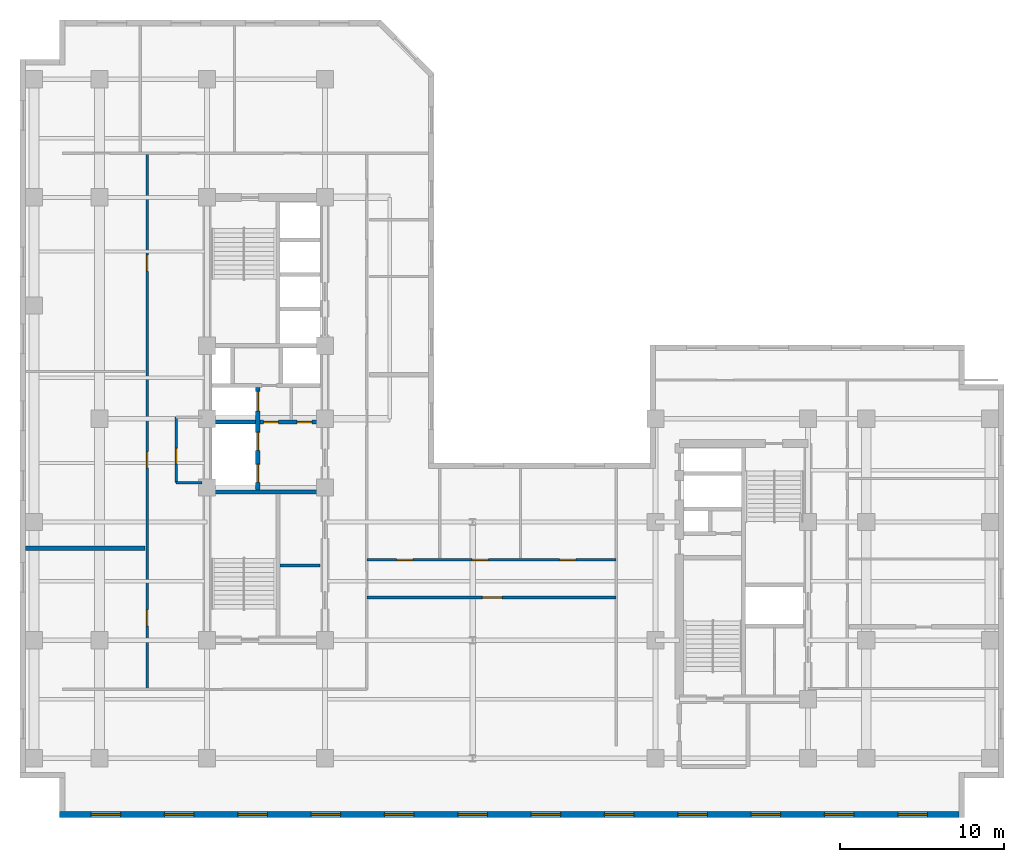
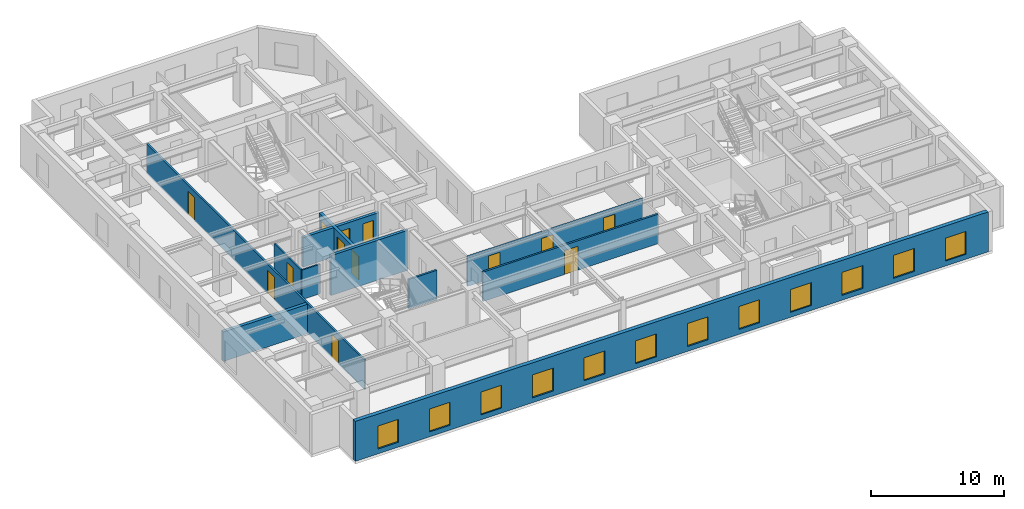
# One storey, part 3 of 10: 13 doors, 12 windows, 11 walls, 25 openings.
"""IFC4 building model written with IfcOpenShell, lengths in metres."""

from ifc_helpers import new_model, entity, si_unit, converted_unit, direction, frame, origin_with_axes, origin_2d_with_axis, place, context, subcontext, project, spatial, polyline, rectangle, outline, extrude, material, layer, layer_set, type_object, element, fill, save


model = new_model("IFC4")

# Units and contexts
model_context = context("Model", 3, precision=1e-05, world=origin_with_axes(), true_north=direction((0.0, 1.0)))
body_context = subcontext(model_context, "Body", "Model", "MODEL_VIEW")
ifc_project = project(units=[si_unit("LENGTHUNIT", "METRE"), si_unit("AREAUNIT", "SQUARE_METRE"), si_unit("VOLUMEUNIT", "CUBIC_METRE"), converted_unit("PLANEANGLEUNIT", "DEGREE", entity("IfcPlaneAngleMeasure", 0.017453292519943295), si_unit("PLANEANGLEUNIT", "RADIAN"), dimensions=[0, 0, 0, 0, 0, 0, 0]), si_unit("MASSUNIT", "GRAM", prefix="KILO"), si_unit("THERMODYNAMICTEMPERATUREUNIT", "KELVIN")], contexts=[model_context])

# Site, building, storey
site_placement = place(None, origin_with_axes())
site = spatial("IfcSite", under=ifc_project, at=site_placement, CompositionType="ELEMENT")
building_placement = place(site_placement, origin_with_axes())
building = spatial("IfcBuilding", under=site, at=building_placement, Name="Varnlund Millrace Tower", CompositionType="ELEMENT")
storey_placement = place(building_placement, frame((0.0, 0.0, 175.8), z_axis=(0.0, 0.0, 1.0), x_axis=(1.0, 0.0, 0.0)))
storey = spatial("IfcBuildingStorey", under=building, at=storey_placement, Name="L43", CompositionType="ELEMENT", Elevation=175.8)

# Wall, openings, windows
ifc_material_1 = material(Name="Precast concrete C50/60", Category="concrete")
ifc_layer_1 = layer(ifc_material_1, 0.34, Name="Precast concrete C50/60")
ifc_layer_set_1 = layer_set([ifc_layer_1], Name="Precast concrete C50/60")
wall_type_1 = type_object("IfcWallType", Name="Type-ExtWall-Precast-Upper-340", PredefinedType="SOLIDWALL", material=ifc_layer_set_1)
wall_1_placement = place(storey_placement, frame((57.26, 0.17, 0.0), z_axis=(0.0, 0.0, 1.0), x_axis=(-1.0, 0.0, 0.0)))
wall_1 = element("IfcWall", 1, at=wall_1_placement, inside=storey, type_object=wall_type_1, Name="Type-ExtWall-Precast-Upper-340", PredefinedType="SOLIDWALL", context=body_context, shape_type="SweptSolid", body=[
    extrude(outline(polyline([(0.0, -0.17), (54.86, -0.17), (54.86, 0.17), (0.0, 0.17), (0.0, -0.17)])), origin_with_axes(), (0.0, 0.0, 1.0), 3.66),
])
opening_1_placement = place(wall_1_placement, frame((2.836, 0.0, 0.45), z_axis=(0.0, 0.0, 1.0), x_axis=(1.0, 0.0, 0.0)))
opening_1 = element("IfcOpeningElement", 2, at=opening_1_placement, cuts=wall_1, Name="Opening L43:WN-08", PredefinedType="OPENING", context=body_context, shape_type="SweptSolid", body=[
    extrude(rectangle(XDim=1.8, YDim=0.36, at=origin_2d_with_axis()), origin_with_axes(), (0.0, 0.0, 1.0), 2.1),
])
opening_2_placement = place(wall_1_placement, frame((7.307, 0.0, 0.45), z_axis=(0.0, 0.0, 1.0), x_axis=(1.0, 0.0, 0.0)))
opening_2 = element("IfcOpeningElement", 3, at=opening_2_placement, cuts=wall_1, Name="Opening L43:WN-09", PredefinedType="OPENING", context=body_context, shape_type="SweptSolid", body=[
    extrude(rectangle(XDim=1.8, YDim=0.36, at=origin_2d_with_axis()), origin_with_axes(), (0.0, 0.0, 1.0), 2.1),
])
opening_3_placement = place(wall_1_placement, frame((11.779, 0.0, 0.45), z_axis=(0.0, 0.0, 1.0), x_axis=(1.0, 0.0, 0.0)))
opening_3 = element("IfcOpeningElement", 4, at=opening_3_placement, cuts=wall_1, Name="Opening L43:WN-10", PredefinedType="OPENING", context=body_context, shape_type="SweptSolid", body=[
    extrude(rectangle(XDim=1.8, YDim=0.36, at=origin_2d_with_axis()), origin_with_axes(), (0.0, 0.0, 1.0), 2.1),
])
opening_4_placement = place(wall_1_placement, frame((16.251, 0.0, 0.45), z_axis=(0.0, 0.0, 1.0), x_axis=(1.0, 0.0, 0.0)))
opening_4 = element("IfcOpeningElement", 5, at=opening_4_placement, cuts=wall_1, Name="Opening L43:WN-11", PredefinedType="OPENING", context=body_context, shape_type="SweptSolid", body=[
    extrude(rectangle(XDim=1.8, YDim=0.36, at=origin_2d_with_axis()), origin_with_axes(), (0.0, 0.0, 1.0), 2.1),
])
opening_5_placement = place(wall_1_placement, frame((20.723, 0.0, 0.45), z_axis=(0.0, 0.0, 1.0), x_axis=(1.0, 0.0, 0.0)))
opening_5 = element("IfcOpeningElement", 6, at=opening_5_placement, cuts=wall_1, Name="Opening L43:WN-12", PredefinedType="OPENING", context=body_context, shape_type="SweptSolid", body=[
    extrude(rectangle(XDim=1.8, YDim=0.36, at=origin_2d_with_axis()), origin_with_axes(), (0.0, 0.0, 1.0), 2.1),
])
opening_6_placement = place(wall_1_placement, frame((25.194, 0.0, 0.45), z_axis=(0.0, 0.0, 1.0), x_axis=(1.0, 0.0, 0.0)))
opening_6 = element("IfcOpeningElement", 7, at=opening_6_placement, cuts=wall_1, Name="Opening L43:WN-13", PredefinedType="OPENING", context=body_context, shape_type="SweptSolid", body=[
    extrude(rectangle(XDim=1.8, YDim=0.36, at=origin_2d_with_axis()), origin_with_axes(), (0.0, 0.0, 1.0), 2.1),
])
opening_7_placement = place(wall_1_placement, frame((29.666, 0.0, 0.45), z_axis=(0.0, 0.0, 1.0), x_axis=(1.0, 0.0, 0.0)))
opening_7 = element("IfcOpeningElement", 8, at=opening_7_placement, cuts=wall_1, Name="Opening L43:WN-14", PredefinedType="OPENING", context=body_context, shape_type="SweptSolid", body=[
    extrude(rectangle(XDim=1.8, YDim=0.36, at=origin_2d_with_axis()), origin_with_axes(), (0.0, 0.0, 1.0), 2.1),
])
opening_8_placement = place(wall_1_placement, frame((34.138, 0.0, 0.45), z_axis=(0.0, 0.0, 1.0), x_axis=(1.0, 0.0, 0.0)))
opening_8 = element("IfcOpeningElement", 9, at=opening_8_placement, cuts=wall_1, Name="Opening L43:WN-15", PredefinedType="OPENING", context=body_context, shape_type="SweptSolid", body=[
    extrude(rectangle(XDim=1.8, YDim=0.36, at=origin_2d_with_axis()), origin_with_axes(), (0.0, 0.0, 1.0), 2.1),
])
opening_9_placement = place(wall_1_placement, frame((38.609, 0.0, 0.45), z_axis=(0.0, 0.0, 1.0), x_axis=(1.0, 0.0, 0.0)))
opening_9 = element("IfcOpeningElement", 10, at=opening_9_placement, cuts=wall_1, Name="Opening L43:WN-16", PredefinedType="OPENING", context=body_context, shape_type="SweptSolid", body=[
    extrude(rectangle(XDim=1.8, YDim=0.36, at=origin_2d_with_axis()), origin_with_axes(), (0.0, 0.0, 1.0), 2.1),
])
opening_10_placement = place(wall_1_placement, frame((43.081, 0.0, 0.45), z_axis=(0.0, 0.0, 1.0), x_axis=(1.0, 0.0, 0.0)))
opening_10 = element("IfcOpeningElement", 11, at=opening_10_placement, cuts=wall_1, Name="Opening L43:WN-17", PredefinedType="OPENING", context=body_context, shape_type="SweptSolid", body=[
    extrude(rectangle(XDim=1.8, YDim=0.36, at=origin_2d_with_axis()), origin_with_axes(), (0.0, 0.0, 1.0), 2.1),
])
opening_11_placement = place(wall_1_placement, frame((47.553, 0.0, 0.45), z_axis=(0.0, 0.0, 1.0), x_axis=(1.0, 0.0, 0.0)))
opening_11 = element("IfcOpeningElement", 12, at=opening_11_placement, cuts=wall_1, Name="Opening L43:WN-18", PredefinedType="OPENING", context=body_context, shape_type="SweptSolid", body=[
    extrude(rectangle(XDim=1.8, YDim=0.36, at=origin_2d_with_axis()), origin_with_axes(), (0.0, 0.0, 1.0), 2.1),
])
opening_12_placement = place(wall_1_placement, frame((52.024, 0.0, 0.45), z_axis=(0.0, 0.0, 1.0), x_axis=(1.0, 0.0, 0.0)))
opening_12 = element("IfcOpeningElement", 13, at=opening_12_placement, cuts=wall_1, Name="Opening L43:WN-19", PredefinedType="OPENING", context=body_context, shape_type="SweptSolid", body=[
    extrude(rectangle(XDim=1.8, YDim=0.36, at=origin_2d_with_axis()), origin_with_axes(), (0.0, 0.0, 1.0), 2.1),
])
ifc_material_2 = material(Name="Argon low-e triple glazing in thermally broken bronze frame", Category="glass")
window_type = type_object("IfcWindowType", Name="Type-Window-Punched-1800X2100", PartitioningType="SINGLE_PANEL", PredefinedType="WINDOW", material=ifc_material_2)
window_1_placement = place(wall_1_placement, frame((2.836, 0.0, 0.45), z_axis=(0.0, 0.0, 1.0), x_axis=(1.0, 0.0, 0.0)))
window_1 = element("IfcWindow", 14, at=window_1_placement, inside=storey, type_object=window_type, Name="Type-Window-Punched-1800X2100", OverallHeight=2.1, OverallWidth=1.8, PredefinedType="WINDOW", context=body_context, shape_type="SweptSolid", body=[
    extrude(rectangle(XDim=1.8, YDim=0.09, at=origin_2d_with_axis()), origin_with_axes(), (0.0, 0.0, 1.0), 2.1),
])
fill(opening_1, window_1)
window_2_placement = place(wall_1_placement, frame((7.307, 0.0, 0.45), z_axis=(0.0, 0.0, 1.0), x_axis=(1.0, 0.0, 0.0)))
window_2 = element("IfcWindow", 15, at=window_2_placement, inside=storey, type_object=window_type, Name="Type-Window-Punched-1800X2100", OverallHeight=2.1, OverallWidth=1.8, PredefinedType="WINDOW", context=body_context, shape_type="SweptSolid", body=[
    extrude(rectangle(XDim=1.8, YDim=0.09, at=origin_2d_with_axis()), origin_with_axes(), (0.0, 0.0, 1.0), 2.1),
])
fill(opening_2, window_2)
window_3_placement = place(wall_1_placement, frame((11.779, 0.0, 0.45), z_axis=(0.0, 0.0, 1.0), x_axis=(1.0, 0.0, 0.0)))
window_3 = element("IfcWindow", 16, at=window_3_placement, inside=storey, type_object=window_type, Name="Type-Window-Punched-1800X2100", OverallHeight=2.1, OverallWidth=1.8, PredefinedType="WINDOW", context=body_context, shape_type="SweptSolid", body=[
    extrude(rectangle(XDim=1.8, YDim=0.09, at=origin_2d_with_axis()), origin_with_axes(), (0.0, 0.0, 1.0), 2.1),
])
fill(opening_3, window_3)
window_4_placement = place(wall_1_placement, frame((16.251, 0.0, 0.45), z_axis=(0.0, 0.0, 1.0), x_axis=(1.0, 0.0, 0.0)))
window_4 = element("IfcWindow", 17, at=window_4_placement, inside=storey, type_object=window_type, Name="Type-Window-Punched-1800X2100", OverallHeight=2.1, OverallWidth=1.8, PredefinedType="WINDOW", context=body_context, shape_type="SweptSolid", body=[
    extrude(rectangle(XDim=1.8, YDim=0.09, at=origin_2d_with_axis()), origin_with_axes(), (0.0, 0.0, 1.0), 2.1),
])
fill(opening_4, window_4)
window_5_placement = place(wall_1_placement, frame((20.723, 0.0, 0.45), z_axis=(0.0, 0.0, 1.0), x_axis=(1.0, 0.0, 0.0)))
window_5 = element("IfcWindow", 18, at=window_5_placement, inside=storey, type_object=window_type, Name="Type-Window-Punched-1800X2100", OverallHeight=2.1, OverallWidth=1.8, PredefinedType="WINDOW", context=body_context, shape_type="SweptSolid", body=[
    extrude(rectangle(XDim=1.8, YDim=0.09, at=origin_2d_with_axis()), origin_with_axes(), (0.0, 0.0, 1.0), 2.1),
])
fill(opening_5, window_5)
window_6_placement = place(wall_1_placement, frame((25.194, 0.0, 0.45), z_axis=(0.0, 0.0, 1.0), x_axis=(1.0, 0.0, 0.0)))
window_6 = element("IfcWindow", 19, at=window_6_placement, inside=storey, type_object=window_type, Name="Type-Window-Punched-1800X2100", OverallHeight=2.1, OverallWidth=1.8, PredefinedType="WINDOW", context=body_context, shape_type="SweptSolid", body=[
    extrude(rectangle(XDim=1.8, YDim=0.09, at=origin_2d_with_axis()), origin_with_axes(), (0.0, 0.0, 1.0), 2.1),
])
fill(opening_6, window_6)
window_7_placement = place(wall_1_placement, frame((29.666, 0.0, 0.45), z_axis=(0.0, 0.0, 1.0), x_axis=(1.0, 0.0, 0.0)))
window_7 = element("IfcWindow", 20, at=window_7_placement, inside=storey, type_object=window_type, Name="Type-Window-Punched-1800X2100", OverallHeight=2.1, OverallWidth=1.8, PredefinedType="WINDOW", context=body_context, shape_type="SweptSolid", body=[
    extrude(rectangle(XDim=1.8, YDim=0.09, at=origin_2d_with_axis()), origin_with_axes(), (0.0, 0.0, 1.0), 2.1),
])
fill(opening_7, window_7)
window_8_placement = place(wall_1_placement, frame((34.138, 0.0, 0.45), z_axis=(0.0, 0.0, 1.0), x_axis=(1.0, 0.0, 0.0)))
window_8 = element("IfcWindow", 21, at=window_8_placement, inside=storey, type_object=window_type, Name="Type-Window-Punched-1800X2100", OverallHeight=2.1, OverallWidth=1.8, PredefinedType="WINDOW", context=body_context, shape_type="SweptSolid", body=[
    extrude(rectangle(XDim=1.8, YDim=0.09, at=origin_2d_with_axis()), origin_with_axes(), (0.0, 0.0, 1.0), 2.1),
])
fill(opening_8, window_8)
window_9_placement = place(wall_1_placement, frame((38.609, 0.0, 0.45), z_axis=(0.0, 0.0, 1.0), x_axis=(1.0, 0.0, 0.0)))
window_9 = element("IfcWindow", 22, at=window_9_placement, inside=storey, type_object=window_type, Name="Type-Window-Punched-1800X2100", OverallHeight=2.1, OverallWidth=1.8, PredefinedType="WINDOW", context=body_context, shape_type="SweptSolid", body=[
    extrude(rectangle(XDim=1.8, YDim=0.09, at=origin_2d_with_axis()), origin_with_axes(), (0.0, 0.0, 1.0), 2.1),
])
fill(opening_9, window_9)
window_10_placement = place(wall_1_placement, frame((43.081, 0.0, 0.45), z_axis=(0.0, 0.0, 1.0), x_axis=(1.0, 0.0, 0.0)))
window_10 = element("IfcWindow", 23, at=window_10_placement, inside=storey, type_object=window_type, Name="Type-Window-Punched-1800X2100", OverallHeight=2.1, OverallWidth=1.8, PredefinedType="WINDOW", context=body_context, shape_type="SweptSolid", body=[
    extrude(rectangle(XDim=1.8, YDim=0.09, at=origin_2d_with_axis()), origin_with_axes(), (0.0, 0.0, 1.0), 2.1),
])
fill(opening_10, window_10)
window_11_placement = place(wall_1_placement, frame((47.553, 0.0, 0.45), z_axis=(0.0, 0.0, 1.0), x_axis=(1.0, 0.0, 0.0)))
window_11 = element("IfcWindow", 24, at=window_11_placement, inside=storey, type_object=window_type, Name="Type-Window-Punched-1800X2100", OverallHeight=2.1, OverallWidth=1.8, PredefinedType="WINDOW", context=body_context, shape_type="SweptSolid", body=[
    extrude(rectangle(XDim=1.8, YDim=0.09, at=origin_2d_with_axis()), origin_with_axes(), (0.0, 0.0, 1.0), 2.1),
])
fill(opening_11, window_11)
window_12_placement = place(wall_1_placement, frame((52.024, 0.0, 0.45), z_axis=(0.0, 0.0, 1.0), x_axis=(1.0, 0.0, 0.0)))
window_12 = element("IfcWindow", 25, at=window_12_placement, inside=storey, type_object=window_type, Name="Type-Window-Punched-1800X2100", OverallHeight=2.1, OverallWidth=1.8, PredefinedType="WINDOW", context=body_context, shape_type="SweptSolid", body=[
    extrude(rectangle(XDim=1.8, YDim=0.09, at=origin_2d_with_axis()), origin_with_axes(), (0.0, 0.0, 1.0), 2.1),
])
fill(opening_12, window_12)

# Walls
ifc_material_3 = material(Name="Double-stud STC-60 conference acoustic partition", Category="gypsum")
ifc_layer_2 = layer(ifc_material_3, 0.28, Name="Double-stud STC-60 conference acoustic partition")
ifc_layer_set_2 = layer_set([ifc_layer_2], Name="Double-stud STC-60 conference acoustic partition")
wall_type_2 = type_object("IfcWallType", Name="Type-Partition-Acoustic-280", PredefinedType="PARTITIONING", material=ifc_layer_set_2)
wall_2_placement = place(storey_placement, frame((0.335, 16.408, 0.0), z_axis=(0.0, 0.0, 1.0), x_axis=(1.0, 0.0, 0.0)))
element("IfcWall", 26, at=wall_2_placement, inside=storey, type_object=wall_type_2, Name="Type-Partition-Acoustic-280", PredefinedType="PARTITIONING", context=body_context, shape_type="SweptSolid", body=[
    extrude(outline(polyline([(0.0, -0.14), (7.295, -0.14), (7.295, 0.14), (0.0, 0.14), (0.0, -0.14)])), origin_with_axes(), (0.0, 0.0, 1.0), 2.7),
])
ifc_material_4 = material(Name="Fire-rated gypsum board on cold-formed steel framing", Category="steel")
ifc_layer_3 = layer(ifc_material_4, 0.16, Name="Fire-rated gypsum board on cold-formed steel framing")
ifc_layer_set_3 = layer_set([ifc_layer_3], Name="Fire-rated gypsum board on cold-formed steel framing")
wall_type_3 = type_object("IfcWallType", Name="Type-Partition-Corridor-160", PredefinedType="PARTITIONING", material=ifc_layer_set_3)
wall_3_placement = place(storey_placement, frame((15.84, 15.35, 0.0), z_axis=(0.0, 0.0, 1.0), x_axis=(1.0, 0.0, 0.0)))
element("IfcWall", 27, at=wall_3_placement, inside=storey, type_object=wall_type_3, Name="Type-Partition-Corridor-160", PredefinedType="PARTITIONING", context=body_context, shape_type="SweptSolid", body=[
    extrude(outline(polyline([(0.0, -0.08), (2.46, -0.08), (2.46, 0.08), (0.0, 0.08), (0.0, -0.08)])), origin_with_axes(), (0.0, 0.0, 1.0), 2.7),
])

# Wall, openings, doors
wall_4_placement = place(storey_placement, frame((7.75, 7.8, 0.0), z_axis=(0.0, 0.0, 1.0), x_axis=(0.0, 1.0, 0.0)))
wall_4 = element("IfcWall", 28, at=wall_4_placement, inside=storey, type_object=wall_type_3, Name="Type-Partition-Corridor-160", PredefinedType="PARTITIONING", context=body_context, shape_type="SweptSolid", body=[
    extrude(outline(polyline([(0.0, -0.08), (32.7, -0.08), (32.7, 0.08), (0.0, 0.08), (0.0, -0.08)])), origin_with_axes(), (0.0, 0.0, 1.0), 2.7),
])
opening_13_placement = place(wall_4_placement, frame((4.369, 0.0, 0.0), z_axis=(0.0, 0.0, 1.0), x_axis=(1.0, 0.0, 0.0)))
opening_13 = element("IfcOpeningElement", 29, at=opening_13_placement, cuts=wall_4, Name="Opening L43:DR-W-01", PredefinedType="OPENING", context=body_context, shape_type="SweptSolid", body=[
    extrude(rectangle(XDim=1.0, YDim=0.18, at=origin_2d_with_axis()), origin_with_axes(), (0.0, 0.0, 1.0), 2.15),
])
opening_14_placement = place(wall_4_placement, frame((13.998, 0.0, 0.0), z_axis=(0.0, 0.0, 1.0), x_axis=(1.0, 0.0, 0.0)))
opening_14 = element("IfcOpeningElement", 30, at=opening_14_placement, cuts=wall_4, Name="Opening L43:DR-W-02", PredefinedType="OPENING", context=body_context, shape_type="SweptSolid", body=[
    extrude(rectangle(XDim=1.0, YDim=0.18, at=origin_2d_with_axis()), origin_with_axes(), (0.0, 0.0, 1.0), 2.15),
])
opening_15_placement = place(wall_4_placement, frame((25.979, 0.0, 0.0), z_axis=(0.0, 0.0, 1.0), x_axis=(1.0, 0.0, 0.0)))
opening_15 = element("IfcOpeningElement", 31, at=opening_15_placement, cuts=wall_4, Name="Opening L43:DR-W-03", PredefinedType="OPENING", context=body_context, shape_type="SweptSolid", body=[
    extrude(rectangle(XDim=1.0, YDim=0.18, at=origin_2d_with_axis()), origin_with_axes(), (0.0, 0.0, 1.0), 2.15),
])
ifc_material_5 = material(Name="Solid-core white oak and bronze frame door")
door_type_1 = type_object("IfcDoorType", Name="Type-IntDoor-Office-1000X2150", OperationType="NOTDEFINED", PredefinedType="DOOR", material=ifc_material_5)
door_1_placement = place(wall_4_placement, frame((4.369, 0.0, 0.0), z_axis=(0.0, 0.0, 1.0), x_axis=(1.0, 0.0, 0.0)))
door_1 = element("IfcDoor", 32, at=door_1_placement, inside=storey, type_object=door_type_1, Name="Type-IntDoor-Office-1000X2150", OperationType="SINGLE_SWING_LEFT", OverallHeight=2.15, OverallWidth=1.0, PredefinedType="DOOR", context=body_context, shape_type="SweptSolid", body=[
    extrude(rectangle(XDim=1.0, YDim=0.09, at=origin_2d_with_axis()), origin_with_axes(), (0.0, 0.0, 1.0), 2.15),
])
fill(opening_13, door_1)
door_2_placement = place(wall_4_placement, frame((13.998, 0.0, 0.0), z_axis=(0.0, 0.0, 1.0), x_axis=(1.0, 0.0, 0.0)))
door_2 = element("IfcDoor", 33, at=door_2_placement, inside=storey, type_object=door_type_1, Name="Type-IntDoor-Office-1000X2150", OperationType="SINGLE_SWING_RIGHT", OverallHeight=2.15, OverallWidth=1.0, PredefinedType="DOOR", context=body_context, shape_type="SweptSolid", body=[
    extrude(rectangle(XDim=1.0, YDim=0.09, at=origin_2d_with_axis()), origin_with_axes(), (0.0, 0.0, 1.0), 2.15),
])
fill(opening_14, door_2)
door_3_placement = place(wall_4_placement, frame((25.979, 0.0, 0.0), z_axis=(0.0, 0.0, 1.0), x_axis=(1.0, 0.0, 0.0)))
door_3 = element("IfcDoor", 34, at=door_3_placement, inside=storey, type_object=door_type_1, Name="Type-IntDoor-Office-1000X2150", OperationType="SINGLE_SWING_LEFT", OverallHeight=2.15, OverallWidth=1.0, PredefinedType="DOOR", context=body_context, shape_type="SweptSolid", body=[
    extrude(rectangle(XDim=1.0, YDim=0.09, at=origin_2d_with_axis()), origin_with_axes(), (0.0, 0.0, 1.0), 2.15),
])
fill(opening_15, door_3)

# Wall, opening, door
wall_5_placement = place(storey_placement, frame((21.15, 13.4, 0.0), z_axis=(0.0, 0.0, 1.0), x_axis=(1.0, 0.0, 0.0)))
wall_5 = element("IfcWall", 35, at=wall_5_placement, inside=storey, type_object=wall_type_3, Name="Type-Partition-Corridor-160", PredefinedType="PARTITIONING", context=body_context, shape_type="SweptSolid", body=[
    extrude(outline(polyline([(0.0, -0.08), (15.2, -0.08), (15.2, 0.08), (0.0, 0.08), (0.0, -0.08)])), origin_with_axes(), (0.0, 0.0, 1.0), 2.7),
])
opening_16_placement = place(wall_5_placement, frame((7.65, 0.0, 0.0), z_axis=(0.0, 0.0, 1.0), x_axis=(1.0, 0.0, 0.0)))
opening_16 = element("IfcOpeningElement", 36, at=opening_16_placement, cuts=wall_5, Name="Opening L43:DR-KNS-01", PredefinedType="OPENING", context=body_context, shape_type="SweptSolid", body=[
    extrude(rectangle(XDim=1.2, YDim=0.18, at=origin_2d_with_axis()), origin_with_axes(), (0.0, 0.0, 1.0), 2.2),
])
ifc_material_6 = material(Name="Wide executive white oak acoustic door")
door_type_2 = type_object("IfcDoorType", Name="Type-IntDoor-Exec-1200X2200", OperationType="NOTDEFINED", PredefinedType="DOOR", material=ifc_material_6)
door_4_placement = place(wall_5_placement, frame((7.65, 0.0, 0.0), z_axis=(0.0, 0.0, 1.0), x_axis=(1.0, 0.0, 0.0)))
door_4 = element("IfcDoor", 37, at=door_4_placement, inside=storey, type_object=door_type_2, Name="Type-IntDoor-Exec-1200X2200", OperationType="SINGLE_SWING_LEFT", OverallHeight=2.2, OverallWidth=1.2, PredefinedType="DOOR", context=body_context, shape_type="SweptSolid", body=[
    extrude(rectangle(XDim=1.2, YDim=0.09, at=origin_2d_with_axis()), origin_with_axes(), (0.0, 0.0, 1.0), 2.2),
])
fill(opening_16, door_4)

# Wall, openings, doors
wall_6_placement = place(storey_placement, frame((21.15, 15.7, 0.0), z_axis=(0.0, 0.0, 1.0), x_axis=(1.0, 0.0, 0.0)))
wall_6 = element("IfcWall", 38, at=wall_6_placement, inside=storey, type_object=wall_type_3, Name="Type-Partition-Corridor-160", PredefinedType="PARTITIONING", context=body_context, shape_type="SweptSolid", body=[
    extrude(outline(polyline([(0.0, -0.08), (15.2, -0.08), (15.2, 0.08), (0.0, 0.08), (0.0, -0.08)])), origin_with_axes(), (0.0, 0.0, 1.0), 2.7),
])
opening_17_placement = place(wall_6_placement, frame((2.31, 0.0, 0.0), z_axis=(0.0, 0.0, 1.0), x_axis=(1.0, 0.0, 0.0)))
opening_17 = element("IfcOpeningElement", 39, at=opening_17_placement, cuts=wall_6, Name="Opening L43:DR-KN-01", PredefinedType="OPENING", context=body_context, shape_type="SweptSolid", body=[
    extrude(rectangle(XDim=1.0, YDim=0.18, at=origin_2d_with_axis()), origin_with_axes(), (0.0, 0.0, 1.0), 2.15),
])
opening_18_placement = place(wall_6_placement, frame((6.909, 0.0, 0.0), z_axis=(0.0, 0.0, 1.0), x_axis=(1.0, 0.0, 0.0)))
opening_18 = element("IfcOpeningElement", 40, at=opening_18_placement, cuts=wall_6, Name="Opening L43:DR-KN-02", PredefinedType="OPENING", context=body_context, shape_type="SweptSolid", body=[
    extrude(rectangle(XDim=1.0, YDim=0.18, at=origin_2d_with_axis()), origin_with_axes(), (0.0, 0.0, 1.0), 2.15),
])
opening_19_placement = place(wall_6_placement, frame((12.249, 0.0, 0.0), z_axis=(0.0, 0.0, 1.0), x_axis=(1.0, 0.0, 0.0)))
opening_19 = element("IfcOpeningElement", 41, at=opening_19_placement, cuts=wall_6, Name="Opening L43:DR-KN-03", PredefinedType="OPENING", context=body_context, shape_type="SweptSolid", body=[
    extrude(rectangle(XDim=1.0, YDim=0.18, at=origin_2d_with_axis()), origin_with_axes(), (0.0, 0.0, 1.0), 2.15),
])
door_5_placement = place(wall_6_placement, frame((2.31, 0.0, 0.0), z_axis=(0.0, 0.0, 1.0), x_axis=(1.0, 0.0, 0.0)))
door_5 = element("IfcDoor", 42, at=door_5_placement, inside=storey, type_object=door_type_1, Name="Type-IntDoor-Office-1000X2150", OperationType="SINGLE_SWING_LEFT", OverallHeight=2.15, OverallWidth=1.0, PredefinedType="DOOR", context=body_context, shape_type="SweptSolid", body=[
    extrude(rectangle(XDim=1.0, YDim=0.09, at=origin_2d_with_axis()), origin_with_axes(), (0.0, 0.0, 1.0), 2.15),
])
fill(opening_17, door_5)
door_6_placement = place(wall_6_placement, frame((6.909, 0.0, 0.0), z_axis=(0.0, 0.0, 1.0), x_axis=(1.0, 0.0, 0.0)))
door_6 = element("IfcDoor", 43, at=door_6_placement, inside=storey, type_object=door_type_1, Name="Type-IntDoor-Office-1000X2150", OperationType="SINGLE_SWING_RIGHT", OverallHeight=2.15, OverallWidth=1.0, PredefinedType="DOOR", context=body_context, shape_type="SweptSolid", body=[
    extrude(rectangle(XDim=1.0, YDim=0.09, at=origin_2d_with_axis()), origin_with_axes(), (0.0, 0.0, 1.0), 2.15),
])
fill(opening_18, door_6)
door_7_placement = place(wall_6_placement, frame((12.249, 0.0, 0.0), z_axis=(0.0, 0.0, 1.0), x_axis=(1.0, 0.0, 0.0)))
door_7 = element("IfcDoor", 44, at=door_7_placement, inside=storey, type_object=door_type_1, Name="Type-IntDoor-Office-1000X2150", OperationType="SINGLE_SWING_LEFT", OverallHeight=2.15, OverallWidth=1.0, PredefinedType="DOOR", context=body_context, shape_type="SweptSolid", body=[
    extrude(rectangle(XDim=1.0, YDim=0.09, at=origin_2d_with_axis()), origin_with_axes(), (0.0, 0.0, 1.0), 2.15),
])
fill(opening_19, door_7)

# Wall, opening, door
ifc_material_7 = material(Name="Moisture-resistant gypsum restroom partition", Category="gypsum")
ifc_layer_4 = layer(ifc_material_7, 0.14, Name="Moisture-resistant gypsum restroom partition")
ifc_layer_set_4 = layer_set([ifc_layer_4], Name="Moisture-resistant gypsum restroom partition")
wall_type_4 = type_object("IfcWallType", Name="Type-Partition-Wet-140", PredefinedType="PARTITIONING", material=ifc_layer_set_4)
wall_7_placement = place(storey_placement, frame((9.52, 20.4, 0.0), z_axis=(0.0, 0.0, 1.0), x_axis=(0.0, 1.0, 0.0)))
wall_7 = element("IfcWall", 45, at=wall_7_placement, inside=storey, type_object=wall_type_4, Name="Type-Partition-Wet-140", PredefinedType="PARTITIONING", context=body_context, shape_type="SweptSolid", body=[
    extrude(outline(polyline([(0.0, -0.07), (4.0, -0.07), (4.0, 0.07), (0.0, 0.07), (0.0, -0.07)])), origin_with_axes(), (0.0, 0.0, 1.0), 2.7),
])
opening_20_placement = place(wall_7_placement, frame((1.625, 0.0, 0.0), z_axis=(0.0, 0.0, 1.0), x_axis=(1.0, 0.0, 0.0)))
opening_20 = element("IfcOpeningElement", 46, at=opening_20_placement, cuts=wall_7, Name="Opening L43:DR-CA-WCW", PredefinedType="OPENING", context=body_context, shape_type="SweptSolid", body=[
    extrude(rectangle(XDim=0.95, YDim=0.16, at=origin_2d_with_axis()), origin_with_axes(), (0.0, 0.0, 1.0), 2.15),
])
ifc_material_8 = material(Name="Solid-core acoustic office door")
door_type_3 = type_object("IfcDoorType", Name="Type-IntDoor-Tenant-950X2150", OperationType="NOTDEFINED", PredefinedType="DOOR", material=ifc_material_8)
door_8_placement = place(wall_7_placement, frame((1.625, 0.0, 0.0), z_axis=(0.0, 0.0, 1.0), x_axis=(1.0, 0.0, 0.0)))
door_8 = element("IfcDoor", 47, at=door_8_placement, inside=storey, type_object=door_type_3, Name="Type-IntDoor-Tenant-950X2150", OperationType="SINGLE_SWING_LEFT", OverallHeight=2.15, OverallWidth=0.95, PredefinedType="DOOR", context=body_context, shape_type="SweptSolid", body=[
    extrude(rectangle(XDim=0.95, YDim=0.084, at=origin_2d_with_axis()), origin_with_axes(), (0.0, 0.0, 1.0), 2.15),
])
fill(opening_20, door_8)

# Wall
wall_8_placement = place(storey_placement, frame((9.52, 20.4, 0.0), z_axis=(0.0, 0.0, 1.0), x_axis=(1.0, 0.0, 0.0)))
element("IfcWall", 48, at=wall_8_placement, inside=storey, type_object=wall_type_4, Name="Type-Partition-Wet-140", PredefinedType="PARTITIONING", context=body_context, shape_type="SweptSolid", body=[
    extrude(outline(polyline([(0.0, -0.07), (1.58, -0.07), (1.58, 0.07), (0.0, 0.07), (0.0, -0.07)])), origin_with_axes(), (0.0, 0.0, 1.0), 2.7),
])

# Wall, openings, doors
ifc_material_9 = material(Name="Concrete C60/75", Category="concrete")
ifc_layer_5 = layer(ifc_material_9, 0.25, Name="Concrete C60/75")
ifc_layer_set_5 = layer_set([ifc_layer_5], Name="Concrete C60/75")
wall_type_5 = type_object("IfcWallType", Name="Type-ShaftWall-Fire-250", PredefinedType="SOLIDWALL", material=ifc_layer_set_5)
wall_9_placement = place(storey_placement, frame((14.5, 19.95, 0.0), z_axis=(0.0, 0.0, 1.0), x_axis=(0.0, 1.0, 0.0)))
wall_9 = element("IfcWall", 49, at=wall_9_placement, inside=storey, type_object=wall_type_5, Name="Type-ShaftWall-Fire-250", PredefinedType="SOLIDWALL", context=body_context, shape_type="SweptSolid", body=[
    extrude(outline(polyline([(0.0, -0.125), (6.25, -0.125), (6.25, 0.125), (0.0, 0.125), (0.0, -0.125)])), origin_with_axes(), (0.0, 0.0, 1.0), 2.7),
])
opening_21_placement = place(wall_9_placement, frame((1.025, 0.0, 0.0), z_axis=(0.0, 0.0, 1.0), x_axis=(1.0, 0.0, 0.0)))
opening_21 = element("IfcOpeningElement", 50, at=opening_21_placement, cuts=wall_9, Name="Opening L43:LD-FSAE1", PredefinedType="OPENING", context=body_context, shape_type="SweptSolid", body=[
    extrude(rectangle(XDim=1.1, YDim=0.27, at=origin_2d_with_axis()), origin_with_axes(), (0.0, 0.0, 1.0), 2.15),
])
opening_22_placement = place(wall_9_placement, frame((2.975, 0.0, 0.0), z_axis=(0.0, 0.0, 1.0), x_axis=(1.0, 0.0, 0.0)))
opening_22 = element("IfcOpeningElement", 51, at=opening_22_placement, cuts=wall_9, Name="Opening L43:LD-FSAE2", PredefinedType="OPENING", context=body_context, shape_type="SweptSolid", body=[
    extrude(rectangle(XDim=1.1, YDim=0.27, at=origin_2d_with_axis()), origin_with_axes(), (0.0, 0.0, 1.0), 2.15),
])
opening_23_placement = place(wall_9_placement, frame((5.425, 0.0, 0.0), z_axis=(0.0, 0.0, 1.0), x_axis=(1.0, 0.0, 0.0)))
opening_23 = element("IfcOpeningElement", 52, at=opening_23_placement, cuts=wall_9, Name="Opening L43:LD-SRV1", PredefinedType="OPENING", context=body_context, shape_type="SweptSolid", body=[
    extrude(rectangle(XDim=1.2, YDim=0.27, at=origin_2d_with_axis()), origin_with_axes(), (0.0, 0.0, 1.0), 2.15),
])
ifc_material_10 = material(Name="Stainless and architectural bronze sliding landing door")
door_type_4 = type_object("IfcDoorType", Name="Type-LiftLandingDoor-1100X2150", OperationType="NOTDEFINED", PredefinedType="DOOR", material=ifc_material_10)
door_9_placement = place(wall_9_placement, frame((1.025, 0.0, 0.0), z_axis=(0.0, 0.0, 1.0), x_axis=(1.0, 0.0, 0.0)))
door_9 = element("IfcDoor", 53, at=door_9_placement, inside=storey, type_object=door_type_4, Name="Type-LiftLandingDoor-1100X2150", OperationType="SLIDING_TO_LEFT", OverallHeight=2.15, OverallWidth=1.1, PredefinedType="DOOR", context=body_context, shape_type="SweptSolid", body=[
    extrude(rectangle(XDim=1.1, YDim=0.09, at=origin_2d_with_axis()), origin_with_axes(), (0.0, 0.0, 1.0), 2.15),
])
fill(opening_21, door_9)
door_10_placement = place(wall_9_placement, frame((2.975, 0.0, 0.0), z_axis=(0.0, 0.0, 1.0), x_axis=(1.0, 0.0, 0.0)))
door_10 = element("IfcDoor", 54, at=door_10_placement, inside=storey, type_object=door_type_4, Name="Type-LiftLandingDoor-1100X2150", OperationType="SLIDING_TO_RIGHT", OverallHeight=2.15, OverallWidth=1.1, PredefinedType="DOOR", context=body_context, shape_type="SweptSolid", body=[
    extrude(rectangle(XDim=1.1, YDim=0.09, at=origin_2d_with_axis()), origin_with_axes(), (0.0, 0.0, 1.0), 2.15),
])
fill(opening_22, door_10)
ifc_material_11 = material(Name="Heavy-duty freight sliding landing door")
door_type_5 = type_object("IfcDoorType", Name="Type-LiftLandingDoor-Service-1200X2150", OperationType="NOTDEFINED", PredefinedType="DOOR", material=ifc_material_11)
door_11_placement = place(wall_9_placement, frame((5.425, 0.0, 0.0), z_axis=(0.0, 0.0, 1.0), x_axis=(1.0, 0.0, 0.0)))
door_11 = element("IfcDoor", 55, at=door_11_placement, inside=storey, type_object=door_type_5, Name="Type-LiftLandingDoor-Service-1200X2150", OperationType="DOUBLE_DOOR_SLIDING", OverallHeight=2.15, OverallWidth=1.2, PredefinedType="DOOR", context=body_context, shape_type="SweptSolid", body=[
    extrude(rectangle(XDim=1.2, YDim=0.09, at=origin_2d_with_axis()), origin_with_axes(), (0.0, 0.0, 1.0), 2.15),
])
fill(opening_23, door_11)

wall_10_placement = place(storey_placement, frame((11.7, 24.1, 0.0), z_axis=(0.0, 0.0, 1.0), x_axis=(1.0, 0.0, 0.0)))
wall_10 = element("IfcWall", 56, at=wall_10_placement, inside=storey, type_object=wall_type_5, Name="Type-ShaftWall-Fire-250", PredefinedType="SOLIDWALL", context=body_context, shape_type="SweptSolid", body=[
    extrude(outline(polyline([(0.0, -0.125), (6.6, -0.125), (6.6, 0.125), (0.0, 0.125), (0.0, -0.125)])), origin_with_axes(), (0.0, 0.0, 1.0), 2.7),
])
opening_24_placement = place(wall_10_placement, frame((3.6, 0.0, 0.0), z_axis=(0.0, 0.0, 1.0), x_axis=(1.0, 0.0, 0.0)))
opening_24 = element("IfcOpeningElement", 57, at=opening_24_placement, cuts=wall_10, Name="Opening L43:DR-CA-SUB1", PredefinedType="OPENING", context=body_context, shape_type="SweptSolid", body=[
    extrude(rectangle(XDim=0.9, YDim=0.27, at=origin_2d_with_axis()), origin_with_axes(), (0.0, 0.0, 1.0), 2.15),
])
opening_25_placement = place(wall_10_placement, frame((5.65, 0.0, 0.0), z_axis=(0.0, 0.0, 1.0), x_axis=(1.0, 0.0, 0.0)))
opening_25 = element("IfcOpeningElement", 58, at=opening_25_placement, cuts=wall_10, Name="Opening L43:DR-CA-SUB2", PredefinedType="OPENING", context=body_context, shape_type="SweptSolid", body=[
    extrude(rectangle(XDim=0.9, YDim=0.27, at=origin_2d_with_axis()), origin_with_axes(), (0.0, 0.0, 1.0), 2.15),
])
ifc_material_12 = material(Name="Fire-rated hollow steel service closet door", Category="steel")
door_type_6 = type_object("IfcDoorType", Name="Type-FireDoor-Closet-900X2150", OperationType="NOTDEFINED", PredefinedType="DOOR", material=ifc_material_12)
door_12_placement = place(wall_10_placement, frame((3.6, 0.0, 0.0), z_axis=(0.0, 0.0, 1.0), x_axis=(1.0, 0.0, 0.0)))
door_12 = element("IfcDoor", 59, at=door_12_placement, inside=storey, type_object=door_type_6, Name="Type-FireDoor-Closet-900X2150", OperationType="SINGLE_SWING_LEFT", OverallHeight=2.15, OverallWidth=0.9, PredefinedType="DOOR", context=body_context, shape_type="SweptSolid", body=[
    extrude(rectangle(XDim=0.9, YDim=0.09, at=origin_2d_with_axis()), origin_with_axes(), (0.0, 0.0, 1.0), 2.15),
])
fill(opening_24, door_12)
door_13_placement = place(wall_10_placement, frame((5.65, 0.0, 0.0), z_axis=(0.0, 0.0, 1.0), x_axis=(1.0, 0.0, 0.0)))
door_13 = element("IfcDoor", 60, at=door_13_placement, inside=storey, type_object=door_type_6, Name="Type-FireDoor-Closet-900X2150", OperationType="SINGLE_SWING_LEFT", OverallHeight=2.15, OverallWidth=0.9, PredefinedType="DOOR", context=body_context, shape_type="SweptSolid", body=[
    extrude(rectangle(XDim=0.9, YDim=0.09, at=origin_2d_with_axis()), origin_with_axes(), (0.0, 0.0, 1.0), 2.15),
])
fill(opening_25, door_13)

# Wall
wall_type_6 = type_object("IfcWallType", Name="Type-StairWall-Shear-250", PredefinedType="SHEAR", material=ifc_layer_set_5)
wall_11_placement = place(storey_placement, frame((11.65, 19.825, 0.0), z_axis=(0.0, 0.0, 1.0), x_axis=(1.0, 0.0, 0.0)))
element("IfcWall", 61, at=wall_11_placement, inside=storey, type_object=wall_type_6, Name="Type-StairWall-Shear-250", PredefinedType="SHEAR", context=body_context, shape_type="SweptSolid", body=[
    extrude(outline(polyline([(0.0, -0.125), (6.7, -0.125), (6.7, 0.125), (0.0, 0.125), (0.0, -0.125)])), origin_with_axes(), (0.0, 0.0, 1.0), 3.66),
])

save(model, "model.ifc")
